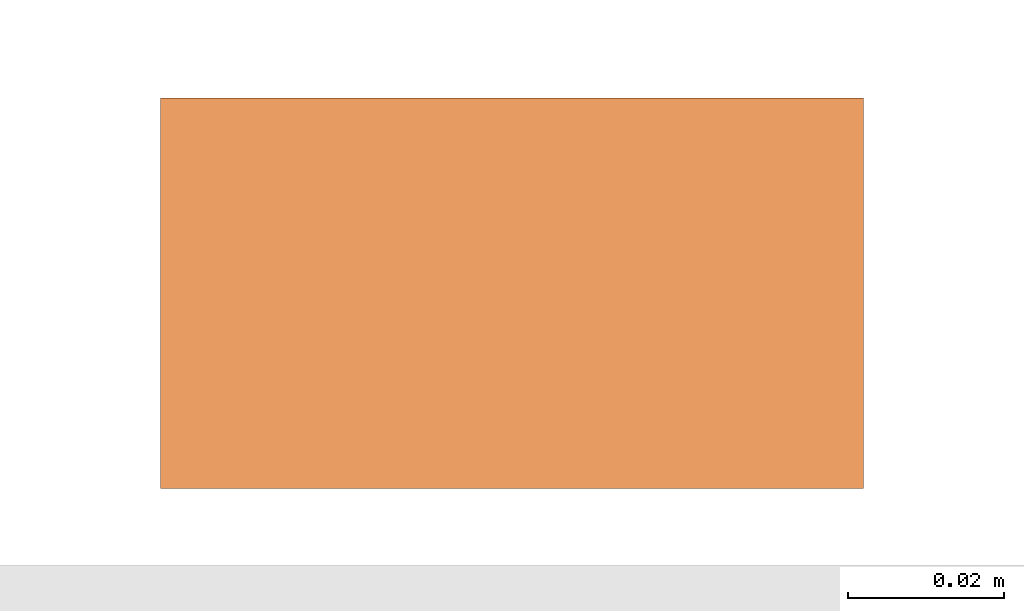
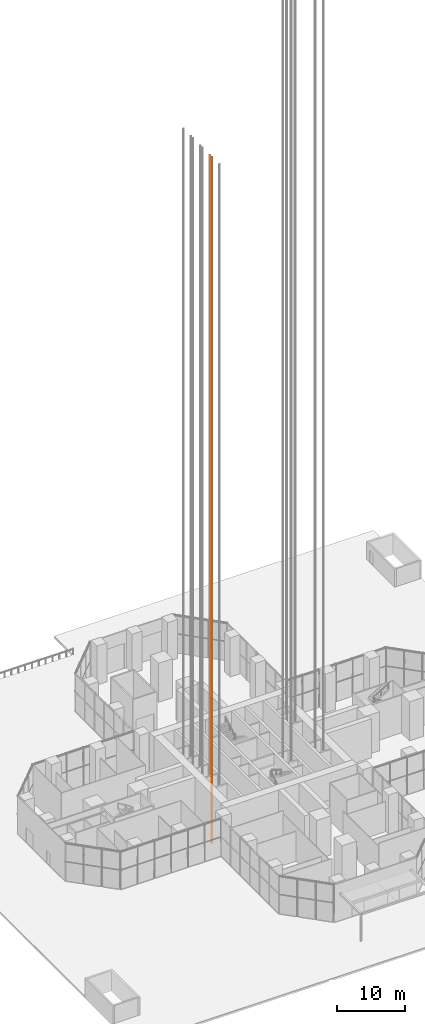
# One storey, part 31 of 43: 1 proxy.
"""IFC4 building model written with IfcOpenShell, lengths in metres."""

from ifc_helpers import new_model, si_unit, direction, frame, origin, origin_2d, place, context, subcontext, project, spatial, rectangle, extrude, material, element, save


model = new_model("IFC4")

# Units and contexts
model_context = context("Model", 3, precision=1e-05, world=origin(), true_north=direction((0.0, 1.0)))
body_context = subcontext(model_context, "Body", "Model", "MODEL_VIEW")
ifc_project = project(units=[si_unit("LENGTHUNIT", "METRE"), si_unit("AREAUNIT", "SQUARE_METRE"), si_unit("VOLUMEUNIT", "CUBIC_METRE"), si_unit("PLANEANGLEUNIT", "RADIAN"), si_unit("MASSUNIT", "GRAM", prefix="KILO")], contexts=[model_context])

# Site, building, storey
site_placement = place(None, origin())
site = spatial("IfcSite", under=ifc_project, at=site_placement, CompositionType="ELEMENT")
building_placement = place(site_placement, origin())
building = spatial("IfcBuilding", under=site, at=building_placement, Name="Mizan Broadcast Tower", CompositionType="ELEMENT")
storey_placement = place(building_placement, origin())
storey = spatial("IfcBuildingStorey", under=building, at=storey_placement, Name="L00", CompositionType="ELEMENT", Elevation=0.0)

# Proxy
ifc_material = material(Name="Steel guide rail", Category="steel")
proxy_placement = place(storey_placement, frame((-8.800048828125, -3.090087890625, -5.0), z_axis=(0.0, 0.0, 1.0), x_axis=(1.0, 0.0, 0.0)))
element("IfcBuildingElementProxy", 1, at=proxy_placement, inside=storey, material=ifc_material, Name="Guide rail LA1-2", PredefinedType="NOTDEFINED", context=body_context, shape_type="SweptSolid", body=[
    extrude(rectangle(XDim=0.090087890625, YDim=0.050048828125, at=origin_2d()), origin(), (0.0, 0.0, 1.0), 122.969970703125),
])

save(model, "model.ifc")
